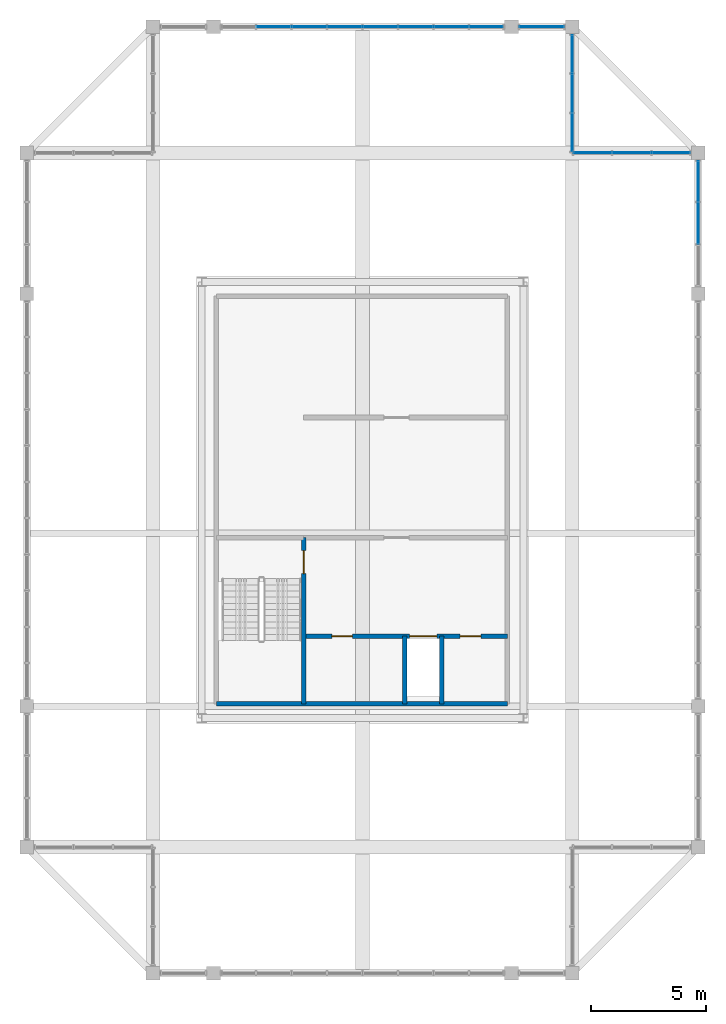
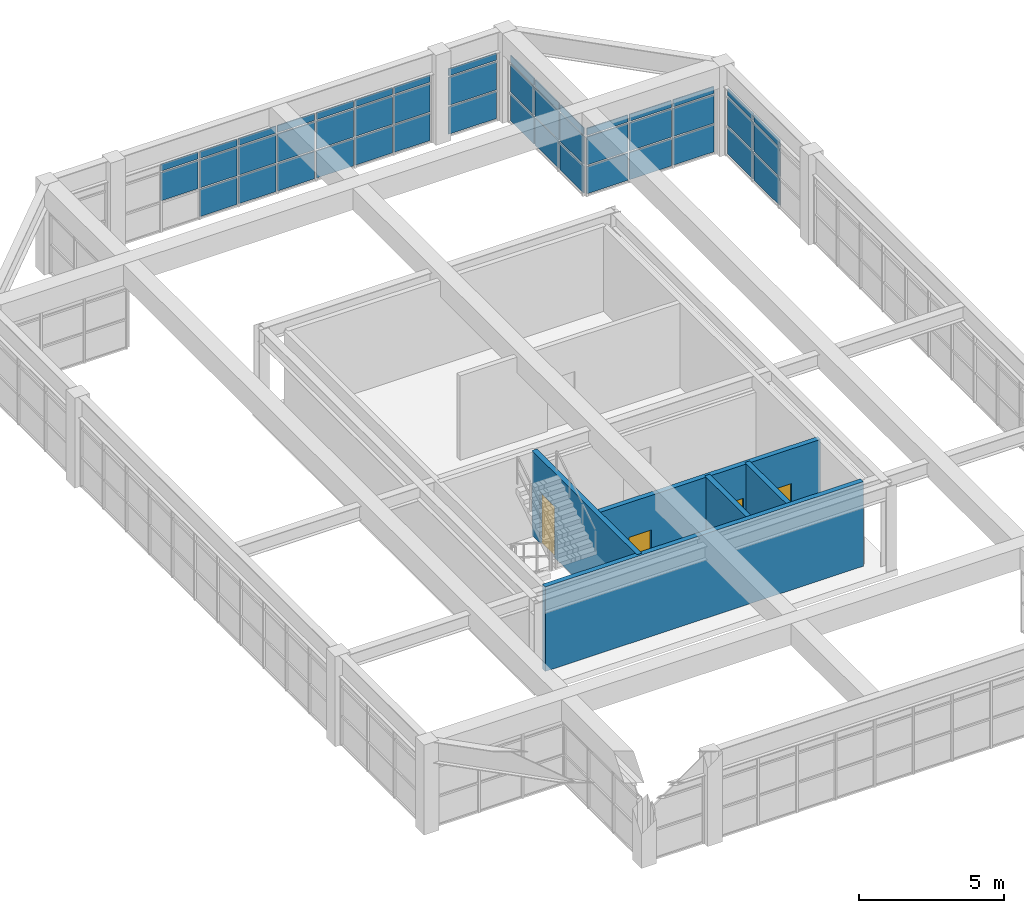
# One storey, part 26 of 28: 47 plates, 5 walls, 4 doors, 4 openings, 5 elements without a shape of their own.
"""IFC4 building model written with IfcOpenShell, lengths in metres."""

from ifc_helpers import new_model, si_unit, direction, frame, frame_2d, origin, origin_2d, place, context, subcontext, project, spatial, rectangle, extrude, source, transform, mapped, material, layer, layer_set, type_object, element, fill, aggregate, save


model = new_model("IFC4")

# Units and contexts
model_context = context("Model", 3, precision=1e-05, world=origin(), true_north=direction((0.0, 1.0)))
body_context = subcontext(model_context, "Body", "Model", "MODEL_VIEW")
ifc_project = project(units=[si_unit("LENGTHUNIT", "METRE"), si_unit("AREAUNIT", "SQUARE_METRE"), si_unit("VOLUMEUNIT", "CUBIC_METRE"), si_unit("PLANEANGLEUNIT", "RADIAN"), si_unit("MASSUNIT", "GRAM", prefix="KILO")], contexts=[model_context])

# Site, building, storey
site_placement = place(None, origin())
site = spatial("IfcSite", under=ifc_project, at=site_placement, CompositionType="ELEMENT")
building_placement = place(site_placement, origin())
building = spatial("IfcBuilding", under=site, at=building_placement, Name="Saelheon Loggia Tower", CompositionType="ELEMENT")
storey_placement = place(building_placement, frame((0.0, 0.0, 271.199951171875)))
storey = spatial("IfcBuildingStorey", under=building, at=storey_placement, Name="CR6", CompositionType="ELEMENT", Elevation=271.199951171875)

# Curtain wall, plates
ifc_material_1 = material(Name="Bronze-Anodised Aluminium and Fritted Ceramic Screen", Category="aluminium")
ifc_layer_1 = layer(ifc_material_1, 0.219970703125)
ifc_layer_set_1 = layer_set([ifc_layer_1], Name="Bronze-Anodised Aluminium and Fritted Ceramic Screen")
curtain_wall_type = type_object("IfcCurtainWallType", Name="CW_CrownScreen", PredefinedType="NOTDEFINED", material=ifc_layer_set_1)
curtain_wall_1_placement = place(storey_placement, origin())
curtain_wall_1 = element("IfcCurtainWall", 1, at=curtain_wall_1_placement, inside=storey, type_object=curtain_wall_type, Name="CR6 Crown Screen Curtain Wall 6-1", PredefinedType="NOTDEFINED")
ifc_material_2 = material(Name="Bronze Ceramic Fritted Spandrel Panel", Category="aluminium")
ifc_layer_2 = layer(ifc_material_2, 0.0380859375)
ifc_layer_set_2 = layer_set([ifc_layer_2], Name="Bronze Ceramic Fritted Spandrel Panel")
plate_type = type_object("IfcPlateType", Name="CW_CrownScreen_Panel", PredefinedType="CURTAIN_PANEL", material=ifc_layer_set_2)
shared_shape_1 = source(origin(), body_context, "Body", "SweptSolid", [
    extrude(rectangle(XDim=1.909912109375, YDim=0.0380859375, at=origin_2d()), origin(), (0.0, 0.0, 1.0), 1.14501953125),
])
plate_1_placement = place(storey_placement, frame((45.824951171875, 47.64990234375, 0.070068359375), z_axis=(0.0, 0.0, 1.0), x_axis=(-1.0, 0.0, 0.0)))
plate_1 = element("IfcPlate", 2, at=plate_1_placement, type_object=plate_type, Name="CW6 panel 1.1", PredefinedType="CURTAIN_PANEL", context=body_context, shape_type="MappedRepresentation", body=[
    mapped(shared_shape_1, transform((0.0, 0.0, 0.0), scale=1.0)),
])
shared_shape_2 = source(origin(), body_context, "Body", "SweptSolid", [
    extrude(rectangle(XDim=1.909912109375, YDim=0.0380859375, at=origin_2d()), origin(), (0.0, 0.0, 1.0), 1.179931640625),
])
plate_2_placement = place(storey_placement, frame((45.824951171875, 47.64990234375, 1.28515625), z_axis=(0.0, 0.0, 1.0), x_axis=(-1.0, 0.0, 0.0)))
plate_2 = element("IfcPlate", 3, at=plate_2_placement, type_object=plate_type, Name="CW6 panel 1.2", PredefinedType="CURTAIN_PANEL", context=body_context, shape_type="MappedRepresentation", body=[
    mapped(shared_shape_2, transform((0.0, 0.0, 0.0), scale=1.0)),
])
shared_shape_3 = source(origin(), body_context, "Body", "SweptSolid", [
    extrude(rectangle(XDim=1.909912109375, YDim=0.0380859375, at=origin_2d()), origin(), (0.0, 0.0, 1.0), 0.294921875),
])
plate_3_placement = place(storey_placement, frame((45.824951171875, 47.64990234375, 2.53515625), z_axis=(0.0, 0.0, 1.0), x_axis=(-1.0, 0.0, 0.0)))
plate_3 = element("IfcPlate", 4, at=plate_3_placement, type_object=plate_type, Name="CW6 panel 1.3", PredefinedType="CURTAIN_PANEL", context=body_context, shape_type="MappedRepresentation", body=[
    mapped(shared_shape_3, transform((0.0, 0.0, 0.0), scale=1.0)),
])
aggregate(curtain_wall_1, [plate_1, plate_2, plate_3])

curtain_wall_2_placement = place(storey_placement, origin())
curtain_wall_2 = element("IfcCurtainWall", 5, at=curtain_wall_2_placement, inside=storey, type_object=curtain_wall_type, Name="CR6 Crown Screen Curtain Wall 6-2", PredefinedType="NOTDEFINED")
shared_shape_4 = source(origin(), body_context, "Body", "SweptSolid", [
    extrude(rectangle(XDim=1.445068359375, YDim=0.0380859375, at=origin_2d()), origin(), (0.0, 0.0, 1.0), 1.14501953125),
])
plate_4_placement = place(storey_placement, frame((43.407470703125, 47.64990234375, 0.070068359375), z_axis=(0.0, 0.0, 1.0), x_axis=(-1.0, 0.0, 0.0)))
plate_4 = element("IfcPlate", 6, at=plate_4_placement, type_object=plate_type, Name="CW6 panel 1.1", PredefinedType="CURTAIN_PANEL", context=body_context, shape_type="MappedRepresentation", body=[
    mapped(shared_shape_4, transform((0.0, 0.0, 0.0), scale=1.0)),
])
shared_shape_5 = source(origin(), body_context, "Body", "SweptSolid", [
    extrude(rectangle(XDim=1.445068359375, YDim=0.0380859375, at=origin_2d()), origin(), (0.0, 0.0, 1.0), 1.179931640625),
])
plate_5_placement = place(storey_placement, frame((43.407470703125, 47.64990234375, 1.28515625), z_axis=(0.0, 0.0, 1.0), x_axis=(-1.0, 0.0, 0.0)))
plate_5 = element("IfcPlate", 7, at=plate_5_placement, type_object=plate_type, Name="CW6 panel 1.2", PredefinedType="CURTAIN_PANEL", context=body_context, shape_type="MappedRepresentation", body=[
    mapped(shared_shape_5, transform((0.0, 0.0, 0.0), scale=1.0)),
])
shared_shape_6 = source(origin(), body_context, "Body", "SweptSolid", [
    extrude(rectangle(XDim=1.445068359375, YDim=0.0380859375, at=origin_2d()), origin(), (0.0, 0.0, 1.0), 0.294921875),
])
plate_6_placement = place(storey_placement, frame((43.407470703125, 47.64990234375, 2.53515625), z_axis=(0.0, 0.0, 1.0), x_axis=(-1.0, 0.0, 0.0)))
plate_6 = element("IfcPlate", 8, at=plate_6_placement, type_object=plate_type, Name="CW6 panel 1.3", PredefinedType="CURTAIN_PANEL", context=body_context, shape_type="MappedRepresentation", body=[
    mapped(shared_shape_6, transform((0.0, 0.0, 0.0), scale=1.0)),
])
shared_shape_7 = source(origin(), body_context, "Body", "SweptSolid", [
    extrude(rectangle(XDim=1.47998046875, YDim=0.0380859375, at=origin_2d()), origin(), (0.0, 0.0, 1.0), 1.14501953125),
])
plate_7_placement = place(storey_placement, frame((41.875, 47.64990234375, 0.070068359375), z_axis=(0.0, 0.0, 1.0), x_axis=(-1.0, 0.0, 0.0)))
plate_7 = element("IfcPlate", 9, at=plate_7_placement, type_object=plate_type, Name="CW6 panel 2.1", PredefinedType="CURTAIN_PANEL", context=body_context, shape_type="MappedRepresentation", body=[
    mapped(shared_shape_7, transform((0.0, 0.0, 0.0), scale=1.0)),
])
plate_8_placement = place(storey_placement, frame((40.324951171875, 47.64990234375, 0.070068359375), z_axis=(0.0, 0.0, 1.0), x_axis=(-1.0, 0.0, 0.0)))
plate_8 = element("IfcPlate", 10, at=plate_8_placement, type_object=plate_type, Name="CW6 panel 3.1", PredefinedType="CURTAIN_PANEL", context=body_context, shape_type="MappedRepresentation", body=[
    mapped(shared_shape_7, transform((0.0, 0.0, 0.0), scale=1.0)),
])
plate_9_placement = place(storey_placement, frame((38.77490234375, 47.64990234375, 0.070068359375), z_axis=(0.0, 0.0, 1.0), x_axis=(-1.0, 0.0, 0.0)))
plate_9 = element("IfcPlate", 11, at=plate_9_placement, type_object=plate_type, Name="CW6 panel 4.1", PredefinedType="CURTAIN_PANEL", context=body_context, shape_type="MappedRepresentation", body=[
    mapped(shared_shape_7, transform((0.0, 0.0, 0.0), scale=1.0)),
])
plate_10_placement = place(storey_placement, frame((37.22509765625, 47.64990234375, 0.070068359375), z_axis=(0.0, 0.0, 1.0), x_axis=(-1.0, 0.0, 0.0)))
plate_10 = element("IfcPlate", 12, at=plate_10_placement, type_object=plate_type, Name="CW6 panel 5.1", PredefinedType="CURTAIN_PANEL", context=body_context, shape_type="MappedRepresentation", body=[
    mapped(shared_shape_7, transform((0.0, 0.0, 0.0), scale=1.0)),
])
plate_11_placement = place(storey_placement, frame((35.675048828125, 47.64990234375, 0.070068359375), z_axis=(0.0, 0.0, 1.0), x_axis=(-1.0, 0.0, 0.0)))
plate_11 = element("IfcPlate", 13, at=plate_11_placement, type_object=plate_type, Name="CW6 panel 6.1", PredefinedType="CURTAIN_PANEL", context=body_context, shape_type="MappedRepresentation", body=[
    mapped(shared_shape_7, transform((0.0, 0.0, 0.0), scale=1.0)),
])
shared_shape_8 = source(origin(), body_context, "Body", "SweptSolid", [
    extrude(rectangle(XDim=1.47998046875, YDim=0.0380859375, at=origin_2d()), origin(), (0.0, 0.0, 1.0), 1.179931640625),
])
plate_12_placement = place(storey_placement, frame((41.875, 47.64990234375, 1.28515625), z_axis=(0.0, 0.0, 1.0), x_axis=(-1.0, 0.0, 0.0)))
plate_12 = element("IfcPlate", 14, at=plate_12_placement, type_object=plate_type, Name="CW6 panel 2.2", PredefinedType="CURTAIN_PANEL", context=body_context, shape_type="MappedRepresentation", body=[
    mapped(shared_shape_8, transform((0.0, 0.0, 0.0), scale=1.0)),
])
plate_13_placement = place(storey_placement, frame((40.324951171875, 47.64990234375, 1.28515625), z_axis=(0.0, 0.0, 1.0), x_axis=(-1.0, 0.0, 0.0)))
plate_13 = element("IfcPlate", 15, at=plate_13_placement, type_object=plate_type, Name="CW6 panel 3.2", PredefinedType="CURTAIN_PANEL", context=body_context, shape_type="MappedRepresentation", body=[
    mapped(shared_shape_8, transform((0.0, 0.0, 0.0), scale=1.0)),
])
plate_14_placement = place(storey_placement, frame((38.77490234375, 47.64990234375, 1.28515625), z_axis=(0.0, 0.0, 1.0), x_axis=(-1.0, 0.0, 0.0)))
plate_14 = element("IfcPlate", 16, at=plate_14_placement, type_object=plate_type, Name="CW6 panel 4.2", PredefinedType="CURTAIN_PANEL", context=body_context, shape_type="MappedRepresentation", body=[
    mapped(shared_shape_8, transform((0.0, 0.0, 0.0), scale=1.0)),
])
plate_15_placement = place(storey_placement, frame((37.22509765625, 47.64990234375, 1.28515625), z_axis=(0.0, 0.0, 1.0), x_axis=(-1.0, 0.0, 0.0)))
plate_15 = element("IfcPlate", 17, at=plate_15_placement, type_object=plate_type, Name="CW6 panel 5.2", PredefinedType="CURTAIN_PANEL", context=body_context, shape_type="MappedRepresentation", body=[
    mapped(shared_shape_8, transform((0.0, 0.0, 0.0), scale=1.0)),
])
plate_16_placement = place(storey_placement, frame((35.675048828125, 47.64990234375, 1.28515625), z_axis=(0.0, 0.0, 1.0), x_axis=(-1.0, 0.0, 0.0)))
plate_16 = element("IfcPlate", 18, at=plate_16_placement, type_object=plate_type, Name="CW6 panel 6.2", PredefinedType="CURTAIN_PANEL", context=body_context, shape_type="MappedRepresentation", body=[
    mapped(shared_shape_8, transform((0.0, 0.0, 0.0), scale=1.0)),
])
plate_17_placement = place(storey_placement, frame((34.125, 47.64990234375, 1.28515625), z_axis=(0.0, 0.0, 1.0), x_axis=(-1.0, 0.0, 0.0)))
plate_17 = element("IfcPlate", 19, at=plate_17_placement, type_object=plate_type, Name="CW6 panel 7.2", PredefinedType="CURTAIN_PANEL", context=body_context, shape_type="MappedRepresentation", body=[
    mapped(shared_shape_8, transform((0.0, 0.0, 0.0), scale=1.0)),
])
shared_shape_9 = source(origin(), body_context, "Body", "SweptSolid", [
    extrude(rectangle(XDim=1.47998046875, YDim=0.0380859375, at=origin_2d()), origin(), (0.0, 0.0, 1.0), 0.294921875),
])
plate_18_placement = place(storey_placement, frame((41.875, 47.64990234375, 2.53515625), z_axis=(0.0, 0.0, 1.0), x_axis=(-1.0, 0.0, 0.0)))
plate_18 = element("IfcPlate", 20, at=plate_18_placement, type_object=plate_type, Name="CW6 panel 2.3", PredefinedType="CURTAIN_PANEL", context=body_context, shape_type="MappedRepresentation", body=[
    mapped(shared_shape_9, transform((0.0, 0.0, 0.0), scale=1.0)),
])
plate_19_placement = place(storey_placement, frame((40.324951171875, 47.64990234375, 2.53515625), z_axis=(0.0, 0.0, 1.0), x_axis=(-1.0, 0.0, 0.0)))
plate_19 = element("IfcPlate", 21, at=plate_19_placement, type_object=plate_type, Name="CW6 panel 3.3", PredefinedType="CURTAIN_PANEL", context=body_context, shape_type="MappedRepresentation", body=[
    mapped(shared_shape_9, transform((0.0, 0.0, 0.0), scale=1.0)),
])
plate_20_placement = place(storey_placement, frame((38.77490234375, 47.64990234375, 2.53515625), z_axis=(0.0, 0.0, 1.0), x_axis=(-1.0, 0.0, 0.0)))
plate_20 = element("IfcPlate", 22, at=plate_20_placement, type_object=plate_type, Name="CW6 panel 4.3", PredefinedType="CURTAIN_PANEL", context=body_context, shape_type="MappedRepresentation", body=[
    mapped(shared_shape_9, transform((0.0, 0.0, 0.0), scale=1.0)),
])
plate_21_placement = place(storey_placement, frame((37.22509765625, 47.64990234375, 2.53515625), z_axis=(0.0, 0.0, 1.0), x_axis=(-1.0, 0.0, 0.0)))
plate_21 = element("IfcPlate", 23, at=plate_21_placement, type_object=plate_type, Name="CW6 panel 5.3", PredefinedType="CURTAIN_PANEL", context=body_context, shape_type="MappedRepresentation", body=[
    mapped(shared_shape_9, transform((0.0, 0.0, 0.0), scale=1.0)),
])
plate_22_placement = place(storey_placement, frame((35.675048828125, 47.64990234375, 2.53515625), z_axis=(0.0, 0.0, 1.0), x_axis=(-1.0, 0.0, 0.0)))
plate_22 = element("IfcPlate", 24, at=plate_22_placement, type_object=plate_type, Name="CW6 panel 6.3", PredefinedType="CURTAIN_PANEL", context=body_context, shape_type="MappedRepresentation", body=[
    mapped(shared_shape_9, transform((0.0, 0.0, 0.0), scale=1.0)),
])
plate_23_placement = place(storey_placement, frame((34.125, 47.64990234375, 2.53515625), z_axis=(0.0, 0.0, 1.0), x_axis=(-1.0, 0.0, 0.0)))
plate_23 = element("IfcPlate", 25, at=plate_23_placement, type_object=plate_type, Name="CW6 panel 7.3", PredefinedType="CURTAIN_PANEL", context=body_context, shape_type="MappedRepresentation", body=[
    mapped(shared_shape_9, transform((0.0, 0.0, 0.0), scale=1.0)),
])
aggregate(curtain_wall_2, [plate_4, plate_5, plate_6, plate_7, plate_12, plate_18, plate_8, plate_13, plate_19, plate_9, plate_14, plate_20, plate_10, plate_15, plate_21, plate_11, plate_16, plate_22, plate_17, plate_23])

curtain_wall_3_placement = place(storey_placement, origin())
curtain_wall_3 = element("IfcCurtainWall", 26, at=curtain_wall_3_placement, inside=storey, type_object=curtain_wall_type, Name="CR6 Crown Screen Curtain Wall 4-1", PredefinedType="NOTDEFINED")
shared_shape_10 = source(origin(), body_context, "Body", "SweptSolid", [
    extrude(rectangle(XDim=1.62841796875, YDim=0.0380859375, at=origin_2d()), origin(), (0.0, 0.0, 1.0), 1.14501953125),
])
plate_24_placement = place(storey_placement, frame((51.4658203125, 42.14990234375, 0.070068359375), z_axis=(0.0, 0.0, 1.0), x_axis=(-1.0, 0.0, 0.0)))
plate_24 = element("IfcPlate", 27, at=plate_24_placement, type_object=plate_type, Name="CW6 panel 1.1", PredefinedType="CURTAIN_PANEL", context=body_context, shape_type="MappedRepresentation", body=[
    mapped(shared_shape_10, transform((0.0, 0.0, 0.0), scale=1.0)),
])
plate_25_placement = place(storey_placement, frame((48.0341796875, 42.14990234375, 0.070068359375), z_axis=(0.0, 0.0, 1.0), x_axis=(-1.0, 0.0, 0.0)))
plate_25 = element("IfcPlate", 28, at=plate_25_placement, type_object=plate_type, Name="CW6 panel 3.1", PredefinedType="CURTAIN_PANEL", context=body_context, shape_type="MappedRepresentation", body=[
    mapped(shared_shape_10, transform((0.0, 0.0, 0.0), scale=1.0)),
])

curtain_wall_4_placement = place(storey_placement, origin())
curtain_wall_4 = element("IfcCurtainWall", 29, at=curtain_wall_4_placement, inside=storey, type_object=curtain_wall_type, Name="CR6 Crown Screen Curtain Wall 5-1", PredefinedType="NOTDEFINED")
plate_26_placement = place(storey_placement, frame((47.14990234375, 43.0341796875, 0.070068359375), z_axis=(0.0, 0.0, 1.0), x_axis=(0.0, 1.0, 0.0)))
plate_26 = element("IfcPlate", 30, at=plate_26_placement, type_object=plate_type, Name="CW6 panel 1.1", PredefinedType="CURTAIN_PANEL", context=body_context, shape_type="MappedRepresentation", body=[
    mapped(shared_shape_10, transform((0.0, 0.0, 0.0), scale=1.0)),
])
plate_27_placement = place(storey_placement, frame((47.14990234375, 46.4658203125, 0.070068359375), z_axis=(0.0, 0.0, 1.0), x_axis=(0.0, 1.0, 0.0)))
plate_27 = element("IfcPlate", 31, at=plate_27_placement, type_object=plate_type, Name="CW6 panel 3.1", PredefinedType="CURTAIN_PANEL", context=body_context, shape_type="MappedRepresentation", body=[
    mapped(shared_shape_10, transform((0.0, 0.0, 0.0), scale=1.0)),
])

# Plate
shared_shape_11 = source(origin(), body_context, "Body", "SweptSolid", [
    extrude(rectangle(XDim=1.62841796875, YDim=0.0380859375, at=origin_2d()), origin(), (0.0, 0.0, 1.0), 1.179931640625),
])
plate_28_placement = place(storey_placement, frame((51.4658203125, 42.14990234375, 1.28515625), z_axis=(0.0, 0.0, 1.0), x_axis=(-1.0, 0.0, 0.0)))
plate_28 = element("IfcPlate", 32, at=plate_28_placement, type_object=plate_type, Name="CW6 panel 1.2", PredefinedType="CURTAIN_PANEL", context=body_context, shape_type="MappedRepresentation", body=[
    mapped(shared_shape_11, transform((0.0, 0.0, 0.0), scale=1.0)),
])

plate_29_placement = place(storey_placement, frame((48.0341796875, 42.14990234375, 1.28515625), z_axis=(0.0, 0.0, 1.0), x_axis=(-1.0, 0.0, 0.0)))
plate_29 = element("IfcPlate", 33, at=plate_29_placement, type_object=plate_type, Name="CW6 panel 3.2", PredefinedType="CURTAIN_PANEL", context=body_context, shape_type="MappedRepresentation", body=[
    mapped(shared_shape_11, transform((0.0, 0.0, 0.0), scale=1.0)),
])

plate_30_placement = place(storey_placement, frame((47.14990234375, 43.0341796875, 1.28515625), z_axis=(0.0, 0.0, 1.0), x_axis=(0.0, 1.0, 0.0)))
plate_30 = element("IfcPlate", 34, at=plate_30_placement, type_object=plate_type, Name="CW6 panel 1.2", PredefinedType="CURTAIN_PANEL", context=body_context, shape_type="MappedRepresentation", body=[
    mapped(shared_shape_11, transform((0.0, 0.0, 0.0), scale=1.0)),
])

plate_31_placement = place(storey_placement, frame((47.14990234375, 46.4658203125, 1.28515625), z_axis=(0.0, 0.0, 1.0), x_axis=(0.0, 1.0, 0.0)))
plate_31 = element("IfcPlate", 35, at=plate_31_placement, type_object=plate_type, Name="CW6 panel 3.2", PredefinedType="CURTAIN_PANEL", context=body_context, shape_type="MappedRepresentation", body=[
    mapped(shared_shape_11, transform((0.0, 0.0, 0.0), scale=1.0)),
])

shared_shape_12 = source(origin(), body_context, "Body", "SweptSolid", [
    extrude(rectangle(XDim=1.62841796875, YDim=0.0380859375, at=origin_2d()), origin(), (0.0, 0.0, 1.0), 0.294921875),
])
plate_32_placement = place(storey_placement, frame((51.4658203125, 42.14990234375, 2.53515625), z_axis=(0.0, 0.0, 1.0), x_axis=(-1.0, 0.0, 0.0)))
plate_32 = element("IfcPlate", 36, at=plate_32_placement, type_object=plate_type, Name="CW6 panel 1.3", PredefinedType="CURTAIN_PANEL", context=body_context, shape_type="MappedRepresentation", body=[
    mapped(shared_shape_12, transform((0.0, 0.0, 0.0), scale=1.0)),
])

plate_33_placement = place(storey_placement, frame((48.0341796875, 42.14990234375, 2.53515625), z_axis=(0.0, 0.0, 1.0), x_axis=(-1.0, 0.0, 0.0)))
plate_33 = element("IfcPlate", 37, at=plate_33_placement, type_object=plate_type, Name="CW6 panel 3.3", PredefinedType="CURTAIN_PANEL", context=body_context, shape_type="MappedRepresentation", body=[
    mapped(shared_shape_12, transform((0.0, 0.0, 0.0), scale=1.0)),
])

plate_34_placement = place(storey_placement, frame((47.14990234375, 43.0341796875, 2.53515625), z_axis=(0.0, 0.0, 1.0), x_axis=(0.0, 1.0, 0.0)))
plate_34 = element("IfcPlate", 38, at=plate_34_placement, type_object=plate_type, Name="CW6 panel 1.3", PredefinedType="CURTAIN_PANEL", context=body_context, shape_type="MappedRepresentation", body=[
    mapped(shared_shape_12, transform((0.0, 0.0, 0.0), scale=1.0)),
])

plate_35_placement = place(storey_placement, frame((47.14990234375, 46.4658203125, 2.53515625), z_axis=(0.0, 0.0, 1.0), x_axis=(0.0, 1.0, 0.0)))
plate_35 = element("IfcPlate", 39, at=plate_35_placement, type_object=plate_type, Name="CW6 panel 3.3", PredefinedType="CURTAIN_PANEL", context=body_context, shape_type="MappedRepresentation", body=[
    mapped(shared_shape_12, transform((0.0, 0.0, 0.0), scale=1.0)),
])

shared_shape_13 = source(origin(), body_context, "Body", "SweptSolid", [
    extrude(rectangle(XDim=1.663330078125, YDim=0.0380859375, at=origin_2d()), origin(), (0.0, 0.0, 1.0), 1.14501953125),
])
plate_36_placement = place(storey_placement, frame((49.75, 42.14990234375, 0.070068359375), z_axis=(0.0, 0.0, 1.0), x_axis=(-1.0, 0.0, 0.0)))
plate_36 = element("IfcPlate", 40, at=plate_36_placement, type_object=plate_type, Name="CW6 panel 2.1", PredefinedType="CURTAIN_PANEL", context=body_context, shape_type="MappedRepresentation", body=[
    mapped(shared_shape_13, transform((0.0, 0.0, 0.0), scale=1.0)),
])

plate_37_placement = place(storey_placement, frame((47.14990234375, 44.75, 0.070068359375), z_axis=(0.0, 0.0, 1.0), x_axis=(0.0, 1.0, 0.0)))
plate_37 = element("IfcPlate", 41, at=plate_37_placement, type_object=plate_type, Name="CW6 panel 2.1", PredefinedType="CURTAIN_PANEL", context=body_context, shape_type="MappedRepresentation", body=[
    mapped(shared_shape_13, transform((0.0, 0.0, 0.0), scale=1.0)),
])

shared_shape_14 = source(origin(), body_context, "Body", "SweptSolid", [
    extrude(rectangle(XDim=1.663330078125, YDim=0.0380859375, at=origin_2d()), origin(), (0.0, 0.0, 1.0), 1.179931640625),
])
plate_38_placement = place(storey_placement, frame((49.75, 42.14990234375, 1.28515625), z_axis=(0.0, 0.0, 1.0), x_axis=(-1.0, 0.0, 0.0)))
plate_38 = element("IfcPlate", 42, at=plate_38_placement, type_object=plate_type, Name="CW6 panel 2.2", PredefinedType="CURTAIN_PANEL", context=body_context, shape_type="MappedRepresentation", body=[
    mapped(shared_shape_14, transform((0.0, 0.0, 0.0), scale=1.0)),
])

plate_39_placement = place(storey_placement, frame((47.14990234375, 44.75, 1.28515625), z_axis=(0.0, 0.0, 1.0), x_axis=(0.0, 1.0, 0.0)))
plate_39 = element("IfcPlate", 43, at=plate_39_placement, type_object=plate_type, Name="CW6 panel 2.2", PredefinedType="CURTAIN_PANEL", context=body_context, shape_type="MappedRepresentation", body=[
    mapped(shared_shape_14, transform((0.0, 0.0, 0.0), scale=1.0)),
])

shared_shape_15 = source(origin(), body_context, "Body", "SweptSolid", [
    extrude(rectangle(XDim=1.663330078125, YDim=0.0380859375, at=origin_2d()), origin(), (0.0, 0.0, 1.0), 0.294921875),
])
plate_40_placement = place(storey_placement, frame((49.75, 42.14990234375, 2.53515625), z_axis=(0.0, 0.0, 1.0), x_axis=(-1.0, 0.0, 0.0)))
plate_40 = element("IfcPlate", 44, at=plate_40_placement, type_object=plate_type, Name="CW6 panel 2.3", PredefinedType="CURTAIN_PANEL", context=body_context, shape_type="MappedRepresentation", body=[
    mapped(shared_shape_15, transform((0.0, 0.0, 0.0), scale=1.0)),
])

aggregate(curtain_wall_3, [plate_24, plate_28, plate_32, plate_36, plate_38, plate_40, plate_25, plate_29, plate_33])

plate_41_placement = place(storey_placement, frame((47.14990234375, 44.75, 2.53515625), z_axis=(0.0, 0.0, 1.0), x_axis=(0.0, 1.0, 0.0)))
plate_41 = element("IfcPlate", 45, at=plate_41_placement, type_object=plate_type, Name="CW6 panel 2.3", PredefinedType="CURTAIN_PANEL", context=body_context, shape_type="MappedRepresentation", body=[
    mapped(shared_shape_15, transform((0.0, 0.0, 0.0), scale=1.0)),
])

aggregate(curtain_wall_4, [plate_26, plate_30, plate_34, plate_37, plate_39, plate_41, plate_27, plate_31, plate_35])

# Curtain wall, plates
curtain_wall_5_placement = place(storey_placement, origin())
curtain_wall_5 = element("IfcCurtainWall", 46, at=curtain_wall_5_placement, inside=storey, type_object=curtain_wall_type, Name="CR6 Crown Screen Curtain Wall 3-3", PredefinedType="NOTDEFINED")
shared_shape_16 = source(origin(), body_context, "Body", "SweptSolid", [
    extrude(rectangle(XDim=1.7451171875, YDim=0.0380859375, at=origin_2d()), origin(), (0.0, 0.0, 1.0), 1.14501953125),
])
plate_42_placement = place(storey_placement, frame((52.64990234375, 40.907470703125, 0.070068359375), z_axis=(0.0, 0.0, 1.0), x_axis=(0.0, 1.0, 0.0)))
plate_42 = element("IfcPlate", 47, at=plate_42_placement, type_object=plate_type, Name="CW6 panel 3.1", PredefinedType="CURTAIN_PANEL", context=body_context, shape_type="MappedRepresentation", body=[
    mapped(shared_shape_16, transform((0.0, 0.0, 0.0), scale=1.0)),
])
shared_shape_17 = source(origin(), body_context, "Body", "SweptSolid", [
    extrude(rectangle(XDim=1.7451171875, YDim=0.0380859375, at=origin_2d()), origin(), (0.0, 0.0, 1.0), 1.179931640625),
])
plate_43_placement = place(storey_placement, frame((52.64990234375, 40.907470703125, 1.28515625), z_axis=(0.0, 0.0, 1.0), x_axis=(0.0, 1.0, 0.0)))
plate_43 = element("IfcPlate", 48, at=plate_43_placement, type_object=plate_type, Name="CW6 panel 3.2", PredefinedType="CURTAIN_PANEL", context=body_context, shape_type="MappedRepresentation", body=[
    mapped(shared_shape_17, transform((0.0, 0.0, 0.0), scale=1.0)),
])
shared_shape_18 = source(origin(), body_context, "Body", "SweptSolid", [
    extrude(rectangle(XDim=1.7451171875, YDim=0.0380859375, at=origin_2d()), origin(), (0.0, 0.0, 1.0), 0.294921875),
])
plate_44_placement = place(storey_placement, frame((52.64990234375, 40.907470703125, 2.53515625), z_axis=(0.0, 0.0, 1.0), x_axis=(0.0, 1.0, 0.0)))
plate_44 = element("IfcPlate", 49, at=plate_44_placement, type_object=plate_type, Name="CW6 panel 3.3", PredefinedType="CURTAIN_PANEL", context=body_context, shape_type="MappedRepresentation", body=[
    mapped(shared_shape_18, transform((0.0, 0.0, 0.0), scale=1.0)),
])
shared_shape_19 = source(origin(), body_context, "Body", "SweptSolid", [
    extrude(rectangle(XDim=1.780029296875, YDim=0.0380859375, at=origin_2d()), origin(), (0.0, 0.0, 1.0), 1.14501953125),
])
plate_45_placement = place(storey_placement, frame((52.64990234375, 39.074951171875, 0.070068359375), z_axis=(0.0, 0.0, 1.0), x_axis=(0.0, 1.0, 0.0)))
plate_45 = element("IfcPlate", 50, at=plate_45_placement, type_object=plate_type, Name="CW6 panel 2.1", PredefinedType="CURTAIN_PANEL", context=body_context, shape_type="MappedRepresentation", body=[
    mapped(shared_shape_19, transform((0.0, 0.0, 0.0), scale=1.0)),
])
shared_shape_20 = source(origin(), body_context, "Body", "SweptSolid", [
    extrude(rectangle(XDim=1.780029296875, YDim=0.0380859375, at=origin_2d()), origin(), (0.0, 0.0, 1.0), 1.179931640625),
])
plate_46_placement = place(storey_placement, frame((52.64990234375, 39.074951171875, 1.28515625), z_axis=(0.0, 0.0, 1.0), x_axis=(0.0, 1.0, 0.0)))
plate_46 = element("IfcPlate", 51, at=plate_46_placement, type_object=plate_type, Name="CW6 panel 2.2", PredefinedType="CURTAIN_PANEL", context=body_context, shape_type="MappedRepresentation", body=[
    mapped(shared_shape_20, transform((0.0, 0.0, 0.0), scale=1.0)),
])
shared_shape_21 = source(origin(), body_context, "Body", "SweptSolid", [
    extrude(rectangle(XDim=1.780029296875, YDim=0.0380859375, at=origin_2d()), origin(), (0.0, 0.0, 1.0), 0.294921875),
])
plate_47_placement = place(storey_placement, frame((52.64990234375, 39.074951171875, 2.53515625), z_axis=(0.0, 0.0, 1.0), x_axis=(0.0, 1.0, 0.0)))
plate_47 = element("IfcPlate", 52, at=plate_47_placement, type_object=plate_type, Name="CW6 panel 2.3", PredefinedType="CURTAIN_PANEL", context=body_context, shape_type="MappedRepresentation", body=[
    mapped(shared_shape_21, transform((0.0, 0.0, 0.0), scale=1.0)),
])
aggregate(curtain_wall_5, [plate_45, plate_46, plate_47, plate_42, plate_43, plate_44])

# Walls
ifc_material_3 = material(Name="Concrete C40/50", Category="concrete")
ifc_layer_3 = layer(ifc_material_3, 0.199951171875)
ifc_layer_set_3 = layer_set([ifc_layer_3], Name="Concrete C40/50")
wall_type_1 = type_object("IfcWallType", Name="Wall_Shaft_200", PredefinedType="PARTITIONING", material=ifc_layer_set_3)
for number, where, z_axis, x_axis, name in (
    (53, (39.85009765625, 18.10009765625, 0.0), (0.0, 0.0, 1.0), (0.0, 1.0, 0.0), "CR6 SV1 Shaft West Wall"),
    (54, (41.449951171875, 18.10009765625, 0.0), (0.0, 0.0, 1.0), (0.0, 1.0, 0.0), "CR6 SV1 Shaft East Wall"),
):
    element("IfcWall", number, at=place(storey_placement, frame(where, z_axis=z_axis, x_axis=x_axis)), inside=storey, type_object=wall_type_1, Name=name, PredefinedType="PARTITIONING", context=body_context, shape_type="SweptSolid", body=[
        extrude(rectangle(XDim=2.9599609375, YDim=0.199951171875, at=frame_2d((1.47998046875, 0.0))), origin(), (0.0, 0.0, 1.0), 3.56005859375),
    ])

# Wall, openings, doors
wall_1_placement = place(storey_placement, frame((35.429931640625, 21.06005859375, 0.0), z_axis=(0.0, 0.0, 1.0), x_axis=(1.0, 0.0, 0.0)))
wall_1 = element("IfcWall", 55, at=wall_1_placement, inside=storey, type_object=wall_type_1, Name="CR6 SV1 Shaft Front Wall", PredefinedType="PARTITIONING", context=body_context, shape_type="SweptSolid", body=[
    extrude(rectangle(XDim=8.89013671875, YDim=0.199951171875, at=frame_2d((4.445068359375, 0.0))), origin(), (0.0, 0.0, 1.0), 3.56005859375),
])
opening_1_placement = place(wall_1_placement, frame((1.22998046875, 0.0, 0.0)))
opening_1 = element("IfcOpeningElement", 56, at=opening_1_placement, cuts=wall_1, Name="Opening D-RS1", PredefinedType="OPENING", context=body_context, shape_type="SweptSolid", body=[
    extrude(rectangle(XDim=0.89990234375, YDim=2.10009765625, at=frame_2d((0.449951171875, 1.050048828125))), frame((0.0, 0.112060546875, 0.0), z_axis=(0.0, -1.0, 0.0), x_axis=(1.0, 0.0, 0.0)), (0.0, 0.0, 1.0), 0.223876953125),
])
opening_2_placement = place(wall_1_placement, frame((4.6201171875, 0.0, 0.0)))
opening_2 = element("IfcOpeningElement", 57, at=opening_2_placement, cuts=wall_1, Name="Opening LD3", PredefinedType="OPENING", context=body_context, shape_type="SweptSolid", body=[
    extrude(rectangle(XDim=1.199951171875, YDim=2.14990234375, at=frame_2d((0.60009765625, 1.074951171875))), frame((0.0, 0.112060546875, 0.0), z_axis=(0.0, -1.0, 0.0), x_axis=(1.0, 0.0, 0.0)), (0.0, 0.0, 1.0), 0.223876953125),
])
opening_3_placement = place(wall_1_placement, frame((6.830078125, 0.0, 0.0)))
opening_3 = element("IfcOpeningElement", 58, at=opening_3_placement, cuts=wall_1, Name="Opening D-RS1", PredefinedType="OPENING", context=body_context, shape_type="SweptSolid", body=[
    extrude(rectangle(XDim=0.89990234375, YDim=2.10009765625, at=frame_2d((0.449951171875, 1.050048828125))), frame((0.0, 0.112060546875, 0.0), z_axis=(0.0, -1.0, 0.0), x_axis=(1.0, 0.0, 0.0)), (0.0, 0.0, 1.0), 0.223876953125),
])
ifc_material_4 = material(Name="Galvanised Steel Riser Access Door", Category="steel")
door_type_1 = type_object("IfcDoorType", Name="Door_Riser_FD60", OperationType="NOTDEFINED", PredefinedType="DOOR", material=ifc_material_4)
shared_shape_22 = source(origin(), body_context, "Body", "SweptSolid", [
    extrude(rectangle(XDim=0.89990234375, YDim=2.10009765625, at=frame_2d((0.449951171875, 1.050048828125))), frame((0.0, 0.02490234375, 0.0), z_axis=(0.0, -1.0, 0.0), x_axis=(1.0, 0.0, 0.0)), (0.0, 0.0, 1.0), 0.050048828125),
])
door_1_placement = place(opening_1_placement, origin())
door_1 = element("IfcDoor", 59, at=door_1_placement, inside=storey, type_object=door_type_1, Name="CR6 West Riser Closet Door", OperationType="SINGLE_SWING_LEFT", OverallHeight=2.10009765625, OverallWidth=0.89990234375, PredefinedType="DOOR", context=body_context, shape_type="MappedRepresentation", body=[
    mapped(shared_shape_22, transform((0.0, 0.0, 0.0), scale=1.0)),
])
fill(opening_1, door_1)
door_2_placement = place(opening_3_placement, origin())
door_2 = element("IfcDoor", 60, at=door_2_placement, inside=storey, type_object=door_type_1, Name="CR6 East Riser Closet Door", OperationType="SINGLE_SWING_RIGHT", OverallHeight=2.10009765625, OverallWidth=0.89990234375, PredefinedType="DOOR", context=body_context, shape_type="MappedRepresentation", body=[
    mapped(shared_shape_22, transform((0.0, 0.0, 0.0), scale=1.0)),
])
fill(opening_3, door_2)
ifc_material_5 = material(Name="Stretcher Lift Stainless Steel 304 Landing Door", Category="steel")
door_type_2 = type_object("IfcDoorType", Name="Door_Lift_LD3", OperationType="DOUBLE_DOOR_SLIDING", PredefinedType="DOOR", material=ifc_material_5)
shared_shape_23 = source(origin(), body_context, "Body", "SweptSolid", [
    extrude(rectangle(XDim=1.199951171875, YDim=2.14990234375, at=frame_2d((0.60009765625, 1.074951171875))), frame((0.0, 0.02490234375, 0.0), z_axis=(0.0, -1.0, 0.0), x_axis=(1.0, 0.0, 0.0)), (0.0, 0.0, 1.0), 0.050048828125),
])
door_3_placement = place(opening_2_placement, origin())
door_3 = element("IfcDoor", 61, at=door_3_placement, inside=storey, type_object=door_type_2, Name="CR6 SV1 Landing Door", OperationType="DOUBLE_DOOR_SLIDING", OverallHeight=2.14990234375, OverallWidth=1.199951171875, PredefinedType="DOOR", context=body_context, shape_type="MappedRepresentation", body=[
    mapped(shared_shape_23, transform((0.0, 0.0, 0.0), scale=1.0)),
])
fill(opening_2, door_3)

# Wall
ifc_material_6 = material(Name="Concrete C45/55", Category="concrete")
ifc_layer_4 = layer(ifc_material_6, 0.199951171875)
ifc_layer_set_4 = layer_set([ifc_layer_4], Name="Concrete C45/55")
wall_type_2 = type_object("IfcWallType", Name="Wall_StairShaft_RC200", PredefinedType="SOLIDWALL", material=ifc_layer_set_4)
wall_2_placement = place(storey_placement, frame((31.6201171875, 18.10009765625, 0.0), z_axis=(0.0, 0.0, 1.0), x_axis=(1.0, 0.0, 0.0)))
element("IfcWall", 62, at=wall_2_placement, inside=storey, type_object=wall_type_2, Name="CR6 Crown Core South Enclosure Wall", PredefinedType="SOLIDWALL", context=body_context, shape_type="SweptSolid", body=[
    extrude(rectangle(XDim=12.699951171875, YDim=0.199951171875, at=frame_2d((6.35009765625, 0.0))), origin(), (0.0, 0.0, 1.0), 3.570068359375),
])

# Wall, opening, door
wall_3_placement = place(storey_placement, frame((35.429931640625, 18.10009765625, 0.0), z_axis=(0.0, 0.0, 1.0), x_axis=(0.0, 1.0, 0.0)))
wall_3 = element("IfcWall", 63, at=wall_3_placement, inside=storey, type_object=wall_type_2, Name="CR6 ST5 Shaft East Wall", PredefinedType="SOLIDWALL", context=body_context, shape_type="SweptSolid", body=[
    extrude(rectangle(XDim=7.260009765625, YDim=0.199951171875, at=frame_2d((3.6298828125, 0.0))), origin(), (0.0, 0.0, 1.0), 3.570068359375),
])
opening_4_placement = place(wall_3_placement, frame((6.68994140625, 0.0, 0.0), z_axis=(0.0, 0.0, 1.0), x_axis=(-1.0, 0.0, 0.0)))
opening_4 = element("IfcOpeningElement", 64, at=opening_4_placement, cuts=wall_3, Name="Opening D-FD2C", PredefinedType="OPENING", context=body_context, shape_type="SweptSolid", body=[
    extrude(rectangle(XDim=1.0, YDim=2.14990234375, at=frame_2d((0.5, 1.074951171875))), frame((0.0, 0.112060546875, 0.0), z_axis=(0.0, -1.0, 0.0), x_axis=(1.0, 0.0, 0.0)), (0.0, 0.0, 1.0), 0.223876953125),
])
ifc_material_7 = material(Name="Galvanised Steel Fire Door", Category="steel")
door_type_3 = type_object("IfcDoorType", Name="Door_Fire_FD60_1000", OperationType="NOTDEFINED", PredefinedType="DOOR", material=ifc_material_7)
shared_shape_24 = source(origin(), body_context, "Body", "SweptSolid", [
    extrude(rectangle(XDim=1.0, YDim=2.14990234375, at=frame_2d((0.5, 1.074951171875))), frame((0.0, 0.02490234375, 0.0), z_axis=(0.0, -1.0, 0.0), x_axis=(1.0, 0.0, 0.0)), (0.0, 0.0, 1.0), 0.050048828125),
])
door_4_placement = place(opening_4_placement, origin())
door_4 = element("IfcDoor", 65, at=door_4_placement, inside=storey, type_object=door_type_3, Name="CR6 Crown Stair ST5 Door", OperationType="SINGLE_SWING_RIGHT", OverallHeight=2.14990234375, OverallWidth=1.0, PredefinedType="DOOR", context=body_context, shape_type="MappedRepresentation", body=[
    mapped(shared_shape_24, transform((0.0, 0.0, 0.0), scale=1.0)),
])
fill(opening_4, door_4)

save(model, "model.ifc")
